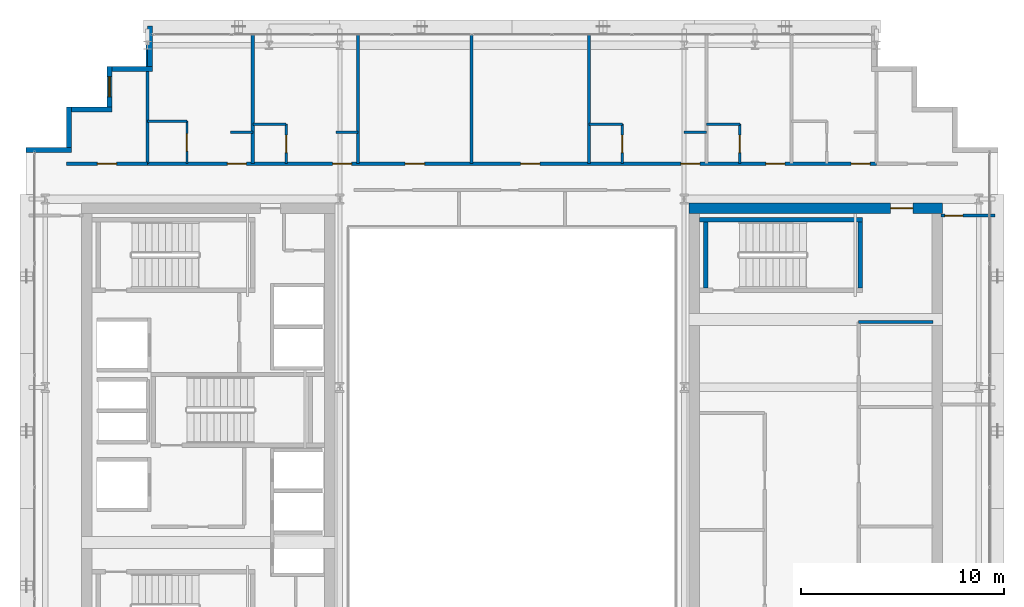
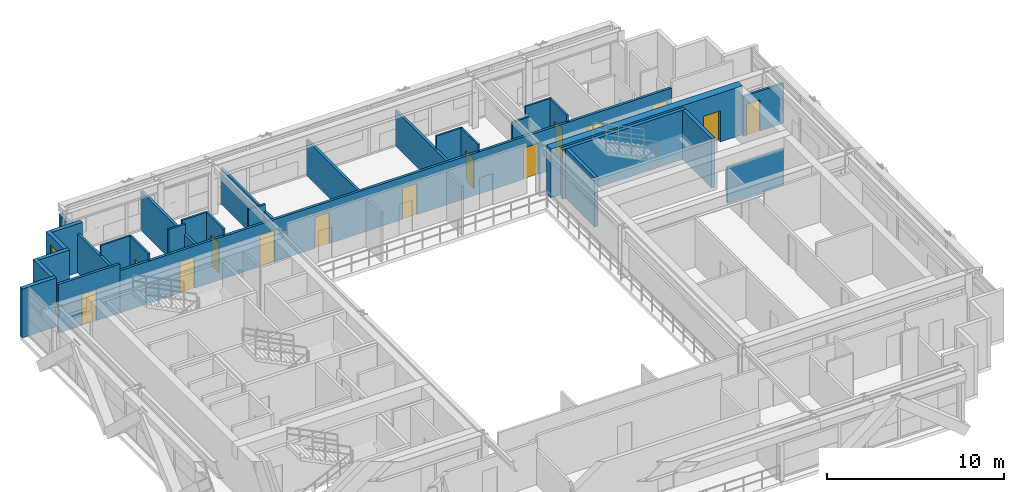
# One storey, part 26 of 31: 30 walls, 14 doors, 1 window, 15 openings.
"""IFC4 building model written with IfcOpenShell, lengths in metres."""

from ifc_helpers import new_model, si_unit, direction, frame, frame_2d, origin, place, context, subcontext, project, spatial, rectangle, extrude, source, transform, mapped, material, layer, layer_set, type_object, element, fill, save


model = new_model("IFC4")

# Units and contexts
model_context = context("Model", 3, precision=1e-05, world=origin(), true_north=direction((0.0, 1.0)))
body_context = subcontext(model_context, "Body", "Model", "MODEL_VIEW")
ifc_project = project(units=[si_unit("LENGTHUNIT", "METRE"), si_unit("AREAUNIT", "SQUARE_METRE"), si_unit("VOLUMEUNIT", "CUBIC_METRE"), si_unit("PLANEANGLEUNIT", "RADIAN"), si_unit("MASSUNIT", "GRAM", prefix="KILO")], contexts=[model_context])

# Site, building, storey
site_placement = place(None, origin())
site = spatial("IfcSite", under=ifc_project, at=site_placement, CompositionType="ELEMENT")
building_placement = place(site_placement, origin())
building = spatial("IfcBuilding", under=site, at=building_placement, Name="Ocotamira Hotel", CompositionType="ELEMENT")
storey_placement = place(building_placement, frame((0.0, 0.0, 188.39990234375)))
storey = spatial("IfcBuildingStorey", under=building, at=storey_placement, Name="L47", CompositionType="ELEMENT", Elevation=188.39990234375)

# Wall, opening, door
ifc_material_1 = material(Name="Concrete C50/60", Category="concrete")
ifc_layer_1 = layer(ifc_material_1, 0.5)
ifc_layer_set_1 = layer_set([ifc_layer_1], Name="Concrete C50/60")
wall_type_1 = type_object("IfcWallType", Name="WL-CORE-500", PredefinedType="SHEAR", material=ifc_layer_set_1)
wall_1_placement = place(storey_placement, frame((40.75, 37.0, 0.0), z_axis=(0.0, 0.0, 1.0), x_axis=(1.0, 0.0, 0.0)))
wall_1 = element("IfcWall", 1, at=wall_1_placement, inside=storey, type_object=wall_type_1, Name="L47 Shear Core Wall ECORE-N", PredefinedType="SHEAR", context=body_context, shape_type="SweptSolid", body=[
    extrude(rectangle(XDim=12.5, YDim=0.5, at=frame_2d((6.25, 0.0))), origin(), (0.0, 0.0, 1.0), 3.3701171875),
])
opening_1_placement = place(wall_1_placement, frame((9.949951171875, 0.0, 0.0)))
opening_1 = element("IfcOpeningElement", 2, at=opening_1_placement, cuts=wall_1, Name="Opening D-FR1", PredefinedType="OPENING", context=body_context, shape_type="SweptSolid", body=[
    extrude(rectangle(XDim=1.10009765625, YDim=2.14990234375, at=frame_2d((0.550048828125, 1.074951171875))), frame((0.0, 0.260009765625, 0.0), z_axis=(0.0, -1.0, 0.0), x_axis=(1.0, 0.0, 0.0)), (0.0, 0.0, 1.0), 0.52001953125),
])
ifc_material_2 = material(Name="Fire-rated acoustic timber-veneer door", Category="wood")
door_type_1 = type_object("IfcDoorType", Name="DR-FIRE-1100", OperationType="NOTDEFINED", PredefinedType="DOOR", material=ifc_material_2)
shared_shape_1 = source(origin(), body_context, "Body", "SweptSolid", [
    extrude(rectangle(XDim=1.10009765625, YDim=2.14990234375, at=frame_2d((0.550048828125, 1.074951171875))), frame((0.0, 0.02490234375, 0.0), z_axis=(0.0, -1.0, 0.0), x_axis=(1.0, 0.0, 0.0)), (0.0, 0.0, 1.0), 0.050048828125),
])
door_1_placement = place(opening_1_placement, origin())
door_1 = element("IfcDoor", 3, at=door_1_placement, inside=storey, type_object=door_type_1, Name="L47 Door ID-L47-ELOB-N-D [ID-L47-ELOB-N-D]", OperationType="SINGLE_SWING_LEFT", OverallHeight=2.14990234375, OverallWidth=1.10009765625, PredefinedType="DOOR", context=body_context, shape_type="MappedRepresentation", body=[
    mapped(shared_shape_1, transform((0.0, 0.0, 0.0), scale=1.0)),
])
fill(opening_1, door_1)

# Walls
ifc_material_3 = material(Name="Precast concrete C45/55", Category="concrete")
ifc_layer_2 = layer(ifc_material_3, 0.25)
ifc_layer_set_2 = layer_set([ifc_layer_2], Name="Precast concrete C45/55")
wall_type_2 = type_object("IfcWallType", Name="WL-EXT-SER-250", PredefinedType="SOLIDWALL", material=ifc_layer_set_2)
wall_2_placement = place(storey_placement, frame((14.125, 46.0, 0.0), z_axis=(0.0, 0.0, 1.0), x_axis=(0.0, -1.0, 0.0)))
element("IfcWall", 4, at=wall_2_placement, inside=storey, type_object=wall_type_2, Name="L47 Serrated Corner Wall 13", PredefinedType="SOLIDWALL", context=body_context, shape_type="SweptSolid", body=[
    extrude(rectangle(XDim=2.0, YDim=0.25, at=frame_2d((1.0, 0.0))), origin(), (0.0, 0.0, 1.0), 2.677001953125),
])
wall_3_placement = place(storey_placement, frame((14.25, 43.875, 0.0), z_axis=(0.0, 0.0, 1.0), x_axis=(-1.0, 0.0, 0.0)))
element("IfcWall", 5, at=wall_3_placement, inside=storey, type_object=wall_type_2, Name="L47 Serrated Corner Wall 14", PredefinedType="SOLIDWALL", context=body_context, shape_type="SweptSolid", body=[
    extrude(rectangle(XDim=2.0, YDim=0.25, at=frame_2d((1.0, 0.0))), origin(), (0.0, 0.0, 1.0), 3.3701171875),
])

# Wall, opening, window
wall_4_placement = place(storey_placement, frame((12.125, 44.0, 0.0), z_axis=(0.0, 0.0, 1.0), x_axis=(0.0, -1.0, 0.0)))
wall_4 = element("IfcWall", 6, at=wall_4_placement, inside=storey, type_object=wall_type_2, Name="L47 Serrated Corner Wall 15", PredefinedType="SOLIDWALL", context=body_context, shape_type="SweptSolid", body=[
    extrude(rectangle(XDim=2.0, YDim=0.25, at=frame_2d((1.0, 0.0))), origin(), (0.0, 0.0, 1.0), 3.3701171875),
])
opening_2_placement = place(wall_4_placement, frame((0.5, 0.0, 0.85009765625)))
opening_2 = element("IfcOpeningElement", 7, at=opening_2_placement, cuts=wall_4, Name="Opening WN-2", PredefinedType="OPENING", context=body_context, shape_type="SweptSolid", body=[
    extrude(rectangle(XDim=1.0, YDim=1.89990234375, at=frame_2d((0.5, 0.949951171875))), frame((0.0, 0.135009765625, 0.0), z_axis=(0.0, -1.0, 0.0), x_axis=(1.0, 0.0, 0.0)), (0.0, 0.0, 1.0), 0.27001953125),
])
ifc_material_4 = material(Name="Double-silver low-E solar glass", Category="glass")
window_type = type_object("IfcWindowType", Name="WIN-SER-1100", PartitioningType="SINGLE_PANEL", PredefinedType="WINDOW", material=ifc_material_4)
shared_shape_2 = source(origin(), body_context, "Body", "SweptSolid", [
    extrude(rectangle(XDim=1.0, YDim=1.89990234375, at=frame_2d((0.5, 0.949951171875))), frame((0.0, 0.030029296875, 0.0), z_axis=(0.0, -1.0, 0.0), x_axis=(1.0, 0.0, 0.0)), (0.0, 0.0, 1.0), 0.06005859375),
])
window_placement = place(opening_2_placement, origin())
window = element("IfcWindow", 8, at=window_placement, inside=storey, type_object=window_type, Name="L47 Serrated Corner Window 15", OverallHeight=1.89990234375, OverallWidth=1.0, PartitioningType="SINGLE_PANEL", PredefinedType="WINDOW", context=body_context, shape_type="MappedRepresentation", body=[
    mapped(shared_shape_2, transform((0.0, 0.0, 0.0), scale=1.0)),
])
fill(opening_2, window)

# Walls
for number, where, z_axis, x_axis, name in (
    (9, (12.25, 41.875, 0.0), (0.0, 0.0, 1.0), (-1.0, 0.0, 0.0), "L47 Serrated Corner Wall 16"),
    (10, (10.125, 42.0, 0.0), (0.0, 0.0, 1.0), (0.0, -1.0, 0.0), "L47 Serrated Corner Wall 17"),
):
    element("IfcWall", number, at=place(storey_placement, frame(where, z_axis=z_axis, x_axis=x_axis)), inside=storey, type_object=wall_type_2, Name=name, PredefinedType="SOLIDWALL", context=body_context, shape_type="SweptSolid", body=[
        extrude(rectangle(XDim=2.0, YDim=0.25, at=frame_2d((1.0, 0.0))), origin(), (0.0, 0.0, 1.0), 3.3701171875),
    ])
wall_5_placement = place(storey_placement, frame((10.25, 39.875, 0.0), z_axis=(0.0, 0.0, 1.0), x_axis=(-1.0, 0.0, 0.0)))
element("IfcWall", 11, at=wall_5_placement, inside=storey, type_object=wall_type_2, Name="L47 Serrated Corner Wall 18", PredefinedType="SOLIDWALL", context=body_context, shape_type="SweptSolid", body=[
    extrude(rectangle(XDim=2.25, YDim=0.25, at=frame_2d((1.125, 0.0))), origin(), (0.0, 0.0, 1.0), 3.3701171875),
])
ifc_material_5 = material(Name="Acoustic double-layer fire gypsum board partition", Category="gypsum")
ifc_layer_3 = layer(ifc_material_5, 0.159912109375)
ifc_layer_set_3 = layer_set([ifc_layer_3], Name="Acoustic double-layer fire gypsum board partition")
wall_type_3 = type_object("IfcWallType", Name="WL-FIRE-160", PredefinedType="PARTITIONING", material=ifc_layer_set_3)
wall_6_placement = place(storey_placement, frame((49.1201171875, 31.3798828125, 0.0), z_axis=(0.0, 0.0, 1.0), x_axis=(1.0, 0.0, 0.0)))
element("IfcWall", 12, at=wall_6_placement, inside=storey, type_object=wall_type_3, Name="L47 Interior Wall PW-L47-EC-FLOW-N", PredefinedType="PARTITIONING", context=body_context, shape_type="SweptSolid", body=[
    extrude(rectangle(XDim=3.679931640625, YDim=0.159912109375, at=frame_2d((1.83984375, 0.0))), origin(), (0.0, 0.0, 1.0), 2.47021484375),
])

# Wall, opening, door
wall_7_placement = place(storey_placement, frame((10.0, 39.199951171875, 0.0), z_axis=(0.0, 0.0, 1.0), x_axis=(1.0, 0.0, 0.0)))
wall_7 = element("IfcWall", 13, at=wall_7_placement, inside=storey, type_object=wall_type_3, Name="L47 Interior Wall PW-L47-Z3C-CNW-CW", PredefinedType="PARTITIONING", context=body_context, shape_type="SweptSolid", body=[
    extrude(rectangle(XDim=4.0, YDim=0.159912109375, at=frame_2d((2.0, 0.0))), origin(), (0.0, 0.0, 1.0), 3.3701171875),
])
opening_3_placement = place(wall_7_placement, frame((1.52001953125, 0.0, 0.0)))
opening_3 = element("IfcOpeningElement", 14, at=opening_3_placement, cuts=wall_7, Name="Opening D-SV4", PredefinedType="OPENING", context=body_context, shape_type="SweptSolid", body=[
    extrude(rectangle(XDim=0.9599609375, YDim=2.14990234375, at=frame_2d((0.47998046875, 1.074951171875))), frame((0.0, 0.08984375, 0.0), z_axis=(0.0, -1.0, 0.0), x_axis=(1.0, 0.0, 0.0)), (0.0, 0.0, 1.0), 0.179931640625),
])
ifc_material_6 = material(Name="Fire-rated accessible walnut salon door", Category="wood")
door_type_2 = type_object("IfcDoorType", Name="DR-SERV-960", OperationType="NOTDEFINED", PredefinedType="DOOR", material=ifc_material_6)
shared_shape_3 = source(origin(), body_context, "Body", "SweptSolid", [
    extrude(rectangle(XDim=0.9599609375, YDim=2.14990234375, at=frame_2d((0.47998046875, 1.074951171875))), frame((0.0, 0.02490234375, 0.0), z_axis=(0.0, -1.0, 0.0), x_axis=(1.0, 0.0, 0.0)), (0.0, 0.0, 1.0), 0.050048828125),
])
door_2_placement = place(opening_3_placement, origin())
door_2 = element("IfcDoor", 15, at=door_2_placement, inside=storey, type_object=door_type_2, Name="L47 Door ID-L47-Z3C-CNW-CD [ID-L47-Z3C-CNW-CD]", OperationType="SINGLE_SWING_LEFT", OverallHeight=2.14990234375, OverallWidth=0.9599609375, PredefinedType="DOOR", context=body_context, shape_type="MappedRepresentation", body=[
    mapped(shared_shape_3, transform((0.0, 0.0, 0.0), scale=1.0)),
])
fill(opening_3, door_2)

# Wall, openings, doors
wall_8_placement = place(storey_placement, frame((14.0, 39.199951171875, 0.0), z_axis=(0.0, 0.0, 1.0), x_axis=(1.0, 0.0, 0.0)))
wall_8 = element("IfcWall", 16, at=wall_8_placement, inside=storey, type_object=wall_type_3, Name="L47 Interior Wall PW-L47-Z3CN-CORRW", PredefinedType="PARTITIONING", context=body_context, shape_type="SweptSolid", body=[
    extrude(rectangle(XDim=36.0, YDim=0.159912109375, at=frame_2d((18.0, 0.0))), origin(), (0.0, 0.0, 1.0), 2.9130859375),
])
opening_4_placement = place(wall_8_placement, frame((3.93994140625, 0.0, 0.0)))
opening_4 = element("IfcOpeningElement", 17, at=opening_4_placement, cuts=wall_8, Name="Opening D-GR1", PredefinedType="OPENING", context=body_context, shape_type="SweptSolid", body=[
    extrude(rectangle(XDim=0.93994140625, YDim=2.14990234375, at=frame_2d((0.469970703125, 1.074951171875))), frame((0.0, 0.08984375, 0.0), z_axis=(0.0, -1.0, 0.0), x_axis=(1.0, 0.0, 0.0)), (0.0, 0.0, 1.0), 0.179931640625),
])
opening_5_placement = place(wall_8_placement, frame((9.139892578125, 0.0, 0.0)))
opening_5 = element("IfcOpeningElement", 18, at=opening_5_placement, cuts=wall_8, Name="Opening D-GR1", PredefinedType="OPENING", context=body_context, shape_type="SweptSolid", body=[
    extrude(rectangle(XDim=0.93994140625, YDim=2.14990234375, at=frame_2d((0.469970703125, 1.074951171875))), frame((0.0, 0.08984375, 0.0), z_axis=(0.0, -1.0, 0.0), x_axis=(1.0, 0.0, 0.0)), (0.0, 0.0, 1.0), 0.179931640625),
])
opening_6_placement = place(wall_8_placement, frame((12.719970703125, 0.0, 0.0)))
opening_6 = element("IfcOpeningElement", 19, at=opening_6_placement, cuts=wall_8, Name="Opening D-SV4", PredefinedType="OPENING", context=body_context, shape_type="SweptSolid", body=[
    extrude(rectangle(XDim=0.9599609375, YDim=2.14990234375, at=frame_2d((0.47998046875, 1.074951171875))), frame((0.0, 0.08984375, 0.0), z_axis=(0.0, -1.0, 0.0), x_axis=(1.0, 0.0, 0.0)), (0.0, 0.0, 1.0), 0.179931640625),
])
opening_7_placement = place(wall_8_placement, frame((18.419921875, 0.0, 0.0)))
opening_7 = element("IfcOpeningElement", 20, at=opening_7_placement, cuts=wall_8, Name="Opening D-SV4", PredefinedType="OPENING", context=body_context, shape_type="SweptSolid", body=[
    extrude(rectangle(XDim=0.9599609375, YDim=2.14990234375, at=frame_2d((0.47998046875, 1.074951171875))), frame((0.0, 0.08984375, 0.0), z_axis=(0.0, -1.0, 0.0), x_axis=(1.0, 0.0, 0.0)), (0.0, 0.0, 1.0), 0.179931640625),
])
opening_8_placement = place(wall_8_placement, frame((26.340087890625, 0.0, 0.0)))
opening_8 = element("IfcOpeningElement", 21, at=opening_8_placement, cuts=wall_8, Name="Opening D-GR1", PredefinedType="OPENING", context=body_context, shape_type="SweptSolid", body=[
    extrude(rectangle(XDim=0.93994140625, YDim=2.14990234375, at=frame_2d((0.469970703125, 1.074951171875))), frame((0.0, 0.08984375, 0.0), z_axis=(0.0, -1.0, 0.0), x_axis=(1.0, 0.0, 0.0)), (0.0, 0.0, 1.0), 0.179931640625),
])
opening_9_placement = place(wall_8_placement, frame((30.5400390625, 0.0, 0.0)))
opening_9 = element("IfcOpeningElement", 22, at=opening_9_placement, cuts=wall_8, Name="Opening D-GR1", PredefinedType="OPENING", context=body_context, shape_type="SweptSolid", body=[
    extrude(rectangle(XDim=0.93994140625, YDim=2.14990234375, at=frame_2d((0.469970703125, 1.074951171875))), frame((0.0, 0.08984375, 0.0), z_axis=(0.0, -1.0, 0.0), x_axis=(1.0, 0.0, 0.0)), (0.0, 0.0, 1.0), 0.179931640625),
])
opening_10_placement = place(wall_8_placement, frame((34.739990234375, 0.0, 0.0)))
opening_10 = element("IfcOpeningElement", 23, at=opening_10_placement, cuts=wall_8, Name="Opening D-GR1", PredefinedType="OPENING", context=body_context, shape_type="SweptSolid", body=[
    extrude(rectangle(XDim=0.93994140625, YDim=2.14990234375, at=frame_2d((0.469970703125, 1.074951171875))), frame((0.0, 0.08984375, 0.0), z_axis=(0.0, -1.0, 0.0), x_axis=(1.0, 0.0, 0.0)), (0.0, 0.0, 1.0), 0.179931640625),
])
door_3_placement = place(opening_6_placement, origin())
door_3 = element("IfcDoor", 24, at=door_3_placement, inside=storey, type_object=door_type_2, Name="L47 Door ID-L47-Z3CN-AMD3 [ID-L47-Z3CN-AMD3]", OperationType="SINGLE_SWING_LEFT", OverallHeight=2.14990234375, OverallWidth=0.9599609375, PredefinedType="DOOR", context=body_context, shape_type="MappedRepresentation", body=[
    mapped(shared_shape_3, transform((0.0, 0.0, 0.0), scale=1.0)),
])
fill(opening_6, door_3)
door_4_placement = place(opening_7_placement, origin())
door_4 = element("IfcDoor", 25, at=door_4_placement, inside=storey, type_object=door_type_2, Name="L47 Door ID-L47-Z3CN-AMD4 [ID-L47-Z3CN-AMD4]", OperationType="SINGLE_SWING_RIGHT", OverallHeight=2.14990234375, OverallWidth=0.9599609375, PredefinedType="DOOR", context=body_context, shape_type="MappedRepresentation", body=[
    mapped(shared_shape_3, transform((0.0, 0.0, 0.0), scale=1.0)),
])
fill(opening_7, door_4)
ifc_material_7 = material(Name="Solid-core walnut suite entrance fire door", Category="wood")
door_type_3 = type_object("IfcDoorType", Name="DR-GUEST-940", OperationType="NOTDEFINED", PredefinedType="DOOR", material=ifc_material_7)
shared_shape_4 = source(origin(), body_context, "Body", "SweptSolid", [
    extrude(rectangle(XDim=0.93994140625, YDim=2.14990234375, at=frame_2d((0.469970703125, 1.074951171875))), frame((0.0, 0.02490234375, 0.0), z_axis=(0.0, -1.0, 0.0), x_axis=(1.0, 0.0, 0.0)), (0.0, 0.0, 1.0), 0.050048828125),
])
door_5_placement = place(opening_4_placement, origin())
door_5 = element("IfcDoor", 26, at=door_5_placement, inside=storey, type_object=door_type_3, Name="L47 Door ID-L47-Z3CN-RMD1 [ID-L47-Z3CN-RMD1]", OperationType="SINGLE_SWING_LEFT", OverallHeight=2.14990234375, OverallWidth=0.93994140625, PredefinedType="DOOR", context=body_context, shape_type="MappedRepresentation", body=[
    mapped(shared_shape_4, transform((0.0, 0.0, 0.0), scale=1.0)),
])
fill(opening_4, door_5)
door_6_placement = place(opening_5_placement, origin())
door_6 = element("IfcDoor", 27, at=door_6_placement, inside=storey, type_object=door_type_3, Name="L47 Door ID-L47-Z3CN-RMD2 [ID-L47-Z3CN-RMD2]", OperationType="SINGLE_SWING_RIGHT", OverallHeight=2.14990234375, OverallWidth=0.93994140625, PredefinedType="DOOR", context=body_context, shape_type="MappedRepresentation", body=[
    mapped(shared_shape_4, transform((0.0, 0.0, 0.0), scale=1.0)),
])
fill(opening_5, door_6)
door_7_placement = place(opening_8_placement, origin())
door_7 = element("IfcDoor", 28, at=door_7_placement, inside=storey, type_object=door_type_3, Name="L47 Door ID-L47-Z3CN-RMD5 [ID-L47-Z3CN-RMD5]", OperationType="SINGLE_SWING_LEFT", OverallHeight=2.14990234375, OverallWidth=0.93994140625, PredefinedType="DOOR", context=body_context, shape_type="MappedRepresentation", body=[
    mapped(shared_shape_4, transform((0.0, 0.0, 0.0), scale=1.0)),
])
fill(opening_8, door_7)
door_8_placement = place(opening_9_placement, origin())
door_8 = element("IfcDoor", 29, at=door_8_placement, inside=storey, type_object=door_type_3, Name="L47 Door ID-L47-Z3CN-RMD6 [ID-L47-Z3CN-RMD6]", OperationType="SINGLE_SWING_RIGHT", OverallHeight=2.14990234375, OverallWidth=0.93994140625, PredefinedType="DOOR", context=body_context, shape_type="MappedRepresentation", body=[
    mapped(shared_shape_4, transform((0.0, 0.0, 0.0), scale=1.0)),
])
fill(opening_9, door_8)
door_9_placement = place(opening_10_placement, origin())
door_9 = element("IfcDoor", 30, at=door_9_placement, inside=storey, type_object=door_type_3, Name="L47 Door ID-L47-Z3CN-RMD7 [ID-L47-Z3CN-RMD7]", OperationType="SINGLE_SWING_LEFT", OverallHeight=2.14990234375, OverallWidth=0.93994140625, PredefinedType="DOOR", context=body_context, shape_type="MappedRepresentation", body=[
    mapped(shared_shape_4, transform((0.0, 0.0, 0.0), scale=1.0)),
])
fill(opening_10, door_9)

# Wall, opening, door
ifc_material_8 = material(Name="Moisture-resistant en-suite tile and gypsum partition", Category="gypsum")
ifc_layer_4 = layer(ifc_material_8, 0.1201171875)
ifc_layer_set_4 = layer_set([ifc_layer_4], Name="Moisture-resistant en-suite tile and gypsum partition")
wall_type_4 = type_object("IfcWallType", Name="WL-PART-120", PredefinedType="PARTITIONING", material=ifc_layer_set_4)
wall_9_placement = place(storey_placement, frame((15.949951171875, 39.199951171875, 0.0), z_axis=(0.0, 0.0, 1.0), x_axis=(0.0, 1.0, 0.0)))
wall_9 = element("IfcWall", 31, at=wall_9_placement, inside=storey, type_object=wall_type_4, Name="L47 Interior Wall PW-L47-Z3CN-BAE1", PredefinedType="PARTITIONING", context=body_context, shape_type="SweptSolid", body=[
    extrude(rectangle(XDim=2.10009765625, YDim=0.1201171875, at=frame_2d((1.050048828125, 0.0))), origin(), (0.0, 0.0, 1.0), 3.3701171875),
])
opening_11_placement = place(wall_9_placement, frame((0.6201171875, 0.0, 0.0)))
opening_11 = element("IfcOpeningElement", 32, at=opening_11_placement, cuts=wall_9, Name="Opening D-BA1", PredefinedType="OPENING", context=body_context, shape_type="SweptSolid", body=[
    extrude(rectangle(XDim=0.860107421875, YDim=2.10009765625, at=frame_2d((0.43017578125, 1.050048828125))), frame((0.0, 0.070068359375, 0.0), z_axis=(0.0, -1.0, 0.0), x_axis=(1.0, 0.0, 0.0)), (0.0, 0.0, 1.0), 0.14013671875),
])
ifc_material_9 = material(Name="Moisture-sealed en-suite timber door", Category="wood")
door_type_4 = type_object("IfcDoorType", Name="DR-BATH-860", OperationType="NOTDEFINED", PredefinedType="DOOR", material=ifc_material_9)
shared_shape_5 = source(origin(), body_context, "Body", "SweptSolid", [
    extrude(rectangle(XDim=0.860107421875, YDim=2.10009765625, at=frame_2d((0.43017578125, 1.050048828125))), frame((0.0, 0.02490234375, 0.0), z_axis=(0.0, -1.0, 0.0), x_axis=(1.0, 0.0, 0.0)), (0.0, 0.0, 1.0), 0.050048828125),
])
door_10_placement = place(opening_11_placement, origin())
door_10 = element("IfcDoor", 33, at=door_10_placement, inside=storey, type_object=door_type_4, Name="L47 Door ID-L47-Z3CN-BAD1 [ID-L47-Z3CN-BAD1]", OperationType="SINGLE_SWING_RIGHT", OverallHeight=2.10009765625, OverallWidth=0.860107421875, PredefinedType="DOOR", context=body_context, shape_type="MappedRepresentation", body=[
    mapped(shared_shape_5, transform((0.0, 0.0, 0.0), scale=1.0)),
])
fill(opening_11, door_10)

# Walls
wall_10_placement = place(storey_placement, frame((14.0, 41.300048828125, 0.0), z_axis=(0.0, 0.0, 1.0), x_axis=(1.0, 0.0, 0.0)))
element("IfcWall", 34, at=wall_10_placement, inside=storey, type_object=wall_type_4, Name="L47 Interior Wall PW-L47-Z3CN-BAN1", PredefinedType="PARTITIONING", context=body_context, shape_type="SweptSolid", body=[
    extrude(rectangle(XDim=1.949951171875, YDim=0.1201171875, at=frame_2d((0.97509765625, 0.0))), origin(), (0.0, 0.0, 1.0), 3.3701171875),
])
wall_11_placement = place(storey_placement, frame((18.10009765625, 40.75, 0.0), z_axis=(0.0, 0.0, 1.0), x_axis=(1.0, 0.0, 0.0)))
element("IfcWall", 35, at=wall_11_placement, inside=storey, type_object=wall_type_4, Name="L47 Interior Wall PW-L47-Z3CN-DRN1", PredefinedType="PARTITIONING", context=body_context, shape_type="SweptSolid", body=[
    extrude(rectangle(XDim=1.099853515625, YDim=0.1201171875, at=frame_2d((0.5498046875, 0.0))), origin(), (0.0, 0.0, 1.0), 3.3701171875),
])

# Wall, opening, door
wall_12_placement = place(storey_placement, frame((20.85009765625, 39.199951171875, 0.0), z_axis=(0.0, 0.0, 1.0), x_axis=(0.0, 1.0, 0.0)))
wall_12 = element("IfcWall", 36, at=wall_12_placement, inside=storey, type_object=wall_type_4, Name="L47 Interior Wall PW-L47-Z3CN-BAE2", PredefinedType="PARTITIONING", context=body_context, shape_type="SweptSolid", body=[
    extrude(rectangle(XDim=1.949951171875, YDim=0.1201171875, at=frame_2d((0.97509765625, 0.0))), origin(), (0.0, 0.0, 1.0), 3.3701171875),
])
opening_12_placement = place(wall_12_placement, frame((0.544921875, 0.0, 0.0)))
opening_12 = element("IfcOpeningElement", 37, at=opening_12_placement, cuts=wall_12, Name="Opening D-BA1", PredefinedType="OPENING", context=body_context, shape_type="SweptSolid", body=[
    extrude(rectangle(XDim=0.860107421875, YDim=2.10009765625, at=frame_2d((0.43017578125, 1.050048828125))), frame((0.0, 0.070068359375, 0.0), z_axis=(0.0, -1.0, 0.0), x_axis=(1.0, 0.0, 0.0)), (0.0, 0.0, 1.0), 0.14013671875),
])
door_11_placement = place(opening_12_placement, origin())
door_11 = element("IfcDoor", 38, at=door_11_placement, inside=storey, type_object=door_type_4, Name="L47 Door ID-L47-Z3CN-BAD2 [ID-L47-Z3CN-BAD2]", OperationType="SINGLE_SWING_LEFT", OverallHeight=2.10009765625, OverallWidth=0.860107421875, PredefinedType="DOOR", context=body_context, shape_type="MappedRepresentation", body=[
    mapped(shared_shape_5, transform((0.0, 0.0, 0.0), scale=1.0)),
])
fill(opening_12, door_11)

# Walls
wall_13_placement = place(storey_placement, frame((19.199951171875, 41.14990234375, 0.0), z_axis=(0.0, 0.0, 1.0), x_axis=(1.0, 0.0, 0.0)))
element("IfcWall", 39, at=wall_13_placement, inside=storey, type_object=wall_type_4, Name="L47 Interior Wall PW-L47-Z3CN-BAN2", PredefinedType="PARTITIONING", context=body_context, shape_type="SweptSolid", body=[
    extrude(rectangle(XDim=1.650146484375, YDim=0.1201171875, at=frame_2d((0.8251953125, 0.0))), origin(), (0.0, 0.0, 1.0), 3.3701171875),
])
wall_14_placement = place(storey_placement, frame((23.300048828125, 40.75, 0.0), z_axis=(0.0, 0.0, 1.0), x_axis=(1.0, 0.0, 0.0)))
element("IfcWall", 40, at=wall_14_placement, inside=storey, type_object=wall_type_4, Name="L47 Interior Wall PW-L47-Z3CN-DRN2", PredefinedType="PARTITIONING", context=body_context, shape_type="SweptSolid", body=[
    extrude(rectangle(XDim=1.099853515625, YDim=0.1201171875, at=frame_2d((0.5498046875, 0.0))), origin(), (0.0, 0.0, 1.0), 2.9130859375),
])

# Wall, opening, door
wall_15_placement = place(storey_placement, frame((37.449951171875, 39.199951171875, 0.0), z_axis=(0.0, 0.0, 1.0), x_axis=(0.0, 1.0, 0.0)))
wall_15 = element("IfcWall", 41, at=wall_15_placement, inside=storey, type_object=wall_type_4, Name="L47 Interior Wall PW-L47-Z3CN-BAE5", PredefinedType="PARTITIONING", context=body_context, shape_type="SweptSolid", body=[
    extrude(rectangle(XDim=1.949951171875, YDim=0.1201171875, at=frame_2d((0.97509765625, 0.0))), origin(), (0.0, 0.0, 1.0), 3.3701171875),
])
opening_13_placement = place(wall_15_placement, frame((0.544921875, 0.0, 0.0)))
opening_13 = element("IfcOpeningElement", 42, at=opening_13_placement, cuts=wall_15, Name="Opening D-BA1", PredefinedType="OPENING", context=body_context, shape_type="SweptSolid", body=[
    extrude(rectangle(XDim=0.860107421875, YDim=2.10009765625, at=frame_2d((0.43017578125, 1.050048828125))), frame((0.0, 0.070068359375, 0.0), z_axis=(0.0, -1.0, 0.0), x_axis=(1.0, 0.0, 0.0)), (0.0, 0.0, 1.0), 0.14013671875),
])
door_12_placement = place(opening_13_placement, origin())
door_12 = element("IfcDoor", 43, at=door_12_placement, inside=storey, type_object=door_type_4, Name="L47 Door ID-L47-Z3CN-BAD5 [ID-L47-Z3CN-BAD5]", OperationType="SINGLE_SWING_RIGHT", OverallHeight=2.10009765625, OverallWidth=0.860107421875, PredefinedType="DOOR", context=body_context, shape_type="MappedRepresentation", body=[
    mapped(shared_shape_5, transform((0.0, 0.0, 0.0), scale=1.0)),
])
fill(opening_13, door_12)

# Walls
wall_16_placement = place(storey_placement, frame((35.800048828125, 41.14990234375, 0.0), z_axis=(0.0, 0.0, 1.0), x_axis=(1.0, 0.0, 0.0)))
element("IfcWall", 44, at=wall_16_placement, inside=storey, type_object=wall_type_4, Name="L47 Interior Wall PW-L47-Z3CN-BAN5", PredefinedType="PARTITIONING", context=body_context, shape_type="SweptSolid", body=[
    extrude(rectangle(XDim=1.64990234375, YDim=0.1201171875, at=frame_2d((0.824951171875, 0.0))), origin(), (0.0, 0.0, 1.0), 3.3701171875),
])
wall_17_placement = place(storey_placement, frame((40.5, 40.75, 0.0), z_axis=(0.0, 0.0, 1.0), x_axis=(1.0, 0.0, 0.0)))
element("IfcWall", 45, at=wall_17_placement, inside=storey, type_object=wall_type_4, Name="L47 Interior Wall PW-L47-Z3CN-DRN5", PredefinedType="PARTITIONING", context=body_context, shape_type="SweptSolid", body=[
    extrude(rectangle(XDim=1.10009765625, YDim=0.1201171875, at=frame_2d((0.550048828125, 0.0))), origin(), (0.0, 0.0, 1.0), 2.9130859375),
])

# Wall, opening, door
wall_18_placement = place(storey_placement, frame((43.25, 39.199951171875, 0.0), z_axis=(0.0, 0.0, 1.0), x_axis=(0.0, 1.0, 0.0)))
wall_18 = element("IfcWall", 46, at=wall_18_placement, inside=storey, type_object=wall_type_4, Name="L47 Interior Wall PW-L47-Z3CN-BAE6", PredefinedType="PARTITIONING", context=body_context, shape_type="SweptSolid", body=[
    extrude(rectangle(XDim=1.949951171875, YDim=0.1201171875, at=frame_2d((0.97509765625, 0.0))), origin(), (0.0, 0.0, 1.0), 3.3701171875),
])
opening_14_placement = place(wall_18_placement, frame((0.544921875, 0.0, 0.0)))
opening_14 = element("IfcOpeningElement", 47, at=opening_14_placement, cuts=wall_18, Name="Opening D-BA1", PredefinedType="OPENING", context=body_context, shape_type="SweptSolid", body=[
    extrude(rectangle(XDim=0.860107421875, YDim=2.10009765625, at=frame_2d((0.43017578125, 1.050048828125))), frame((0.0, 0.070068359375, 0.0), z_axis=(0.0, -1.0, 0.0), x_axis=(1.0, 0.0, 0.0)), (0.0, 0.0, 1.0), 0.14013671875),
])
door_13_placement = place(opening_14_placement, origin())
door_13 = element("IfcDoor", 48, at=door_13_placement, inside=storey, type_object=door_type_4, Name="L47 Door ID-L47-Z3CN-BAD6 [ID-L47-Z3CN-BAD6]", OperationType="SINGLE_SWING_LEFT", OverallHeight=2.10009765625, OverallWidth=0.860107421875, PredefinedType="DOOR", context=body_context, shape_type="MappedRepresentation", body=[
    mapped(shared_shape_5, transform((0.0, 0.0, 0.0), scale=1.0)),
])
fill(opening_14, door_13)

# Wall
wall_19_placement = place(storey_placement, frame((41.60009765625, 41.14990234375, 0.0), z_axis=(0.0, 0.0, 1.0), x_axis=(1.0, 0.0, 0.0)))
element("IfcWall", 49, at=wall_19_placement, inside=storey, type_object=wall_type_4, Name="L47 Interior Wall PW-L47-Z3CN-BAN6", PredefinedType="PARTITIONING", context=body_context, shape_type="SweptSolid", body=[
    extrude(rectangle(XDim=1.64990234375, YDim=0.1201171875, at=frame_2d((0.824951171875, 0.0))), origin(), (0.0, 0.0, 1.0), 3.3701171875),
])

# Wall, opening, door
ifc_material_10 = material(Name="Acoustic hospitality gypsum board partition", Category="gypsum")
ifc_layer_5 = layer(ifc_material_10, 0.14990234375)
ifc_layer_set_5 = layer_set([ifc_layer_5], Name="Acoustic hospitality gypsum board partition")
wall_type_5 = type_object("IfcWallType", Name="WL-PART-150", PredefinedType="PARTITIONING", material=ifc_layer_set_5)
wall_20_placement = place(storey_placement, frame((53.179931640625, 36.639892578125, 0.0), z_axis=(0.0, 0.0, 1.0), x_axis=(1.0, 0.0, 0.0)))
wall_20 = element("IfcWall", 50, at=wall_20_placement, inside=storey, type_object=wall_type_5, Name="L47 Interior Wall PW-L47-Z3C-EF-WN", PredefinedType="PARTITIONING", context=body_context, shape_type="SweptSolid", body=[
    extrude(rectangle(XDim=2.66015625, YDim=0.14990234375, at=frame_2d((1.330078125, 0.0))), origin(), (0.0, 0.0, 1.0), 2.753173828125),
])
opening_15_placement = place(wall_20_placement, frame((0.199951171875, 0.0, 0.0)))
opening_15 = element("IfcOpeningElement", 51, at=opening_15_placement, cuts=wall_20, Name="Opening D-SV2", PredefinedType="OPENING", context=body_context, shape_type="SweptSolid", body=[
    extrude(rectangle(XDim=0.8798828125, YDim=2.14990234375, at=frame_2d((0.43994140625, 1.074951171875))), frame((0.0, 0.0849609375, 0.0), z_axis=(0.0, -1.0, 0.0), x_axis=(1.0, 0.0, 0.0)), (0.0, 0.0, 1.0), 0.169921875),
])
ifc_material_11 = material(Name="Fire-rated painted steel service door", Category="steel")
door_type_5 = type_object("IfcDoorType", Name="DR-SERV-880", OperationType="NOTDEFINED", PredefinedType="DOOR", material=ifc_material_11)
shared_shape_6 = source(origin(), body_context, "Body", "SweptSolid", [
    extrude(rectangle(XDim=0.8798828125, YDim=2.14990234375, at=frame_2d((0.43994140625, 1.074951171875))), frame((0.0, 0.02490234375, 0.0), z_axis=(0.0, -1.0, 0.0), x_axis=(1.0, 0.0, 0.0)), (0.0, 0.0, 1.0), 0.050048828125),
])
door_14_placement = place(opening_15_placement, origin())
door_14 = element("IfcDoor", 52, at=door_14_placement, inside=storey, type_object=door_type_5, Name="L47 Door ID-L47-Z3C-EF-DN [ID-L47-Z3C-EF-DN]", OperationType="SINGLE_SWING_LEFT", OverallHeight=2.14990234375, OverallWidth=0.8798828125, PredefinedType="DOOR", context=body_context, shape_type="MappedRepresentation", body=[
    mapped(shared_shape_6, transform((0.0, 0.0, 0.0), scale=1.0)),
])
fill(opening_15, door_14)

# Walls
ifc_material_12 = material(Name="Acoustic double-stud hospitality gypsum partition", Category="gypsum")
ifc_layer_6 = layer(ifc_material_12, 0.159912109375)
ifc_layer_set_6 = layer_set([ifc_layer_6], Name="Acoustic double-stud hospitality gypsum partition")
wall_type_6 = type_object("IfcWallType", Name="WL-PART-160", PredefinedType="PARTITIONING", material=ifc_layer_set_6)
wall_21_placement = place(storey_placement, frame((14.0, 39.199951171875, 0.0), z_axis=(0.0, 0.0, 1.0), x_axis=(0.0, 1.0, 0.0)))
element("IfcWall", 53, at=wall_21_placement, inside=storey, type_object=wall_type_6, Name="L47 Interior Wall PW-L47-Z3CN-PW0", PredefinedType="PARTITIONING", context=body_context, shape_type="SweptSolid", body=[
    extrude(rectangle(XDim=6.43994140625, YDim=0.159912109375, at=frame_2d((3.219970703125, 0.0))), origin(), (0.0, 0.0, 1.0), 2.677001953125),
])
for number, where, z_axis, x_axis, name in (
    (54, (24.39990234375, 39.199951171875, 0.0), (0.0, 0.0, 1.0), (0.0, 1.0, 0.0), "L47 Interior Wall PW-L47-Z3CN-PW2"),
    (55, (30.0, 39.199951171875, 0.0), (0.0, 0.0, 1.0), (0.0, 1.0, 0.0), "L47 Interior Wall PW-L47-Z3CN-PW3"),
    (56, (35.800048828125, 39.199951171875, 0.0), (0.0, 0.0, 1.0), (0.0, 1.0, 0.0), "L47 Interior Wall PW-L47-Z3CN-PW4"),
):
    element("IfcWall", number, at=place(storey_placement, frame(where, z_axis=z_axis, x_axis=x_axis)), inside=storey, type_object=wall_type_6, Name=name, PredefinedType="PARTITIONING", context=body_context, shape_type="SweptSolid", body=[
        extrude(rectangle(XDim=6.43994140625, YDim=0.159912109375, at=frame_2d((3.219970703125, 0.0))), origin(), (0.0, 0.0, 1.0), 2.443115234375),
    ])
ifc_material_13 = material(Name="Double-stud suite party gypsum partition", Category="gypsum")
ifc_layer_7 = layer(ifc_material_13, 0.175048828125)
ifc_layer_set_7 = layer_set([ifc_layer_7], Name="Double-stud suite party gypsum partition")
wall_type_7 = type_object("IfcWallType", Name="WL-PART-175", PredefinedType="PARTITIONING", material=ifc_layer_set_7)
wall_22_placement = place(storey_placement, frame((19.199951171875, 39.199951171875, 0.0), z_axis=(0.0, 0.0, 1.0), x_axis=(0.0, 1.0, 0.0)))
element("IfcWall", 57, at=wall_22_placement, inside=storey, type_object=wall_type_7, Name="L47 Interior Wall PW-L47-Z3CN-PW1", PredefinedType="PARTITIONING", context=body_context, shape_type="SweptSolid", body=[
    extrude(rectangle(XDim=6.43994140625, YDim=0.175048828125, at=frame_2d((3.219970703125, 0.0))), origin(), (0.0, 0.0, 1.0), 2.677001953125),
])
ifc_layer_8 = layer(ifc_material_1, 0.219970703125)
ifc_layer_set_8 = layer_set([ifc_layer_8], Name="Concrete C50/60")
wall_type_8 = type_object("IfcWallType", Name="WL-STAIR-220", PredefinedType="SHEAR", material=ifc_layer_set_8)
wall_23_placement = place(storey_placement, frame((41.25, 36.43994140625, 0.0), z_axis=(0.0, 0.0, 1.0), x_axis=(1.0, 0.0, 0.0)))
element("IfcWall", 58, at=wall_23_placement, inside=storey, type_object=wall_type_8, Name="L47 Stair Shaft Structural Wall ST-4-N", PredefinedType="SHEAR", context=body_context, shape_type="SweptSolid", body=[
    extrude(rectangle(XDim=8.06005859375, YDim=0.219970703125, at=frame_2d((4.030029296875, 0.0))), origin(), (0.0, 0.0, 1.0), 3.400146484375),
])
for number, where, z_axis, x_axis, name in (
    (59, (41.56005859375, 33.050048828125, 0.0), (0.0, 0.0, 1.0), (0.0, 1.0, 0.0), "L47 Stair Shaft Structural Wall ST-4-W"),
    (60, (49.199951171875, 33.050048828125, 0.0), (0.0, 0.0, 1.0), (0.0, 1.0, 0.0), "L47 Stair Shaft Structural Wall ST-4-E"),
):
    element("IfcWall", number, at=place(storey_placement, frame(where, z_axis=z_axis, x_axis=x_axis)), inside=storey, type_object=wall_type_8, Name=name, PredefinedType="SHEAR", context=body_context, shape_type="SweptSolid", body=[
        extrude(rectangle(XDim=3.280029296875, YDim=0.219970703125, at=frame_2d((1.64013671875, 0.0))), origin(), (0.0, 0.0, 1.0), 3.400146484375),
    ])

save(model, "model.ifc")
